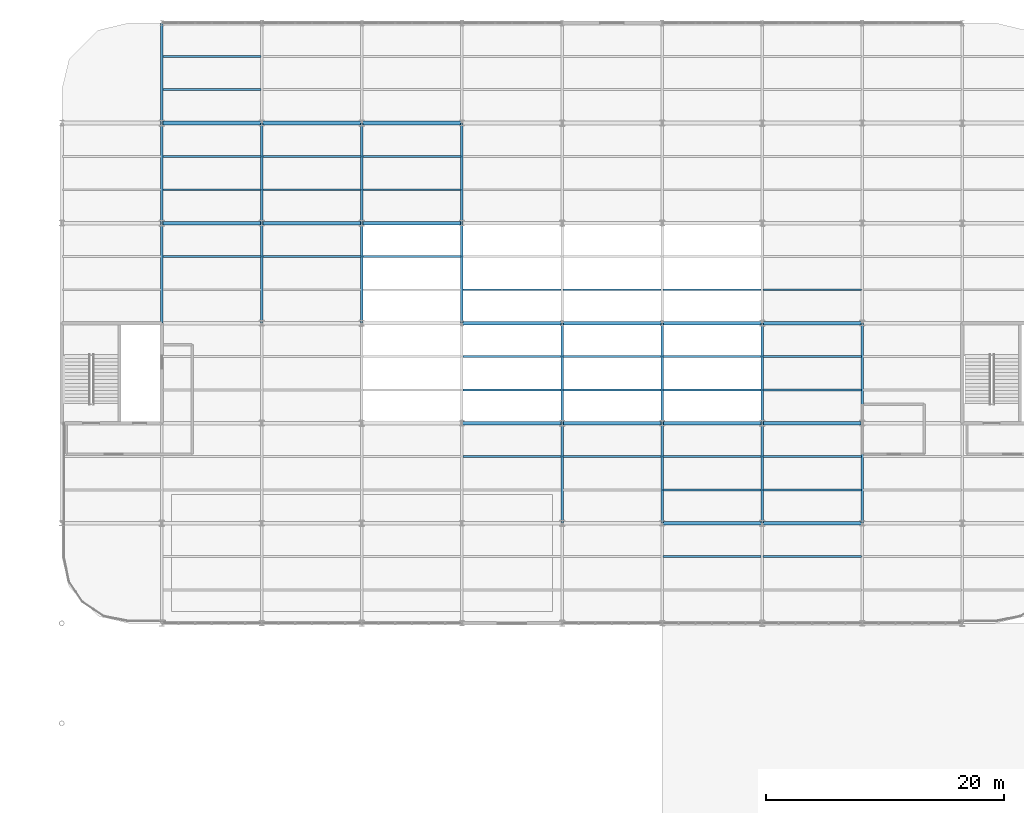
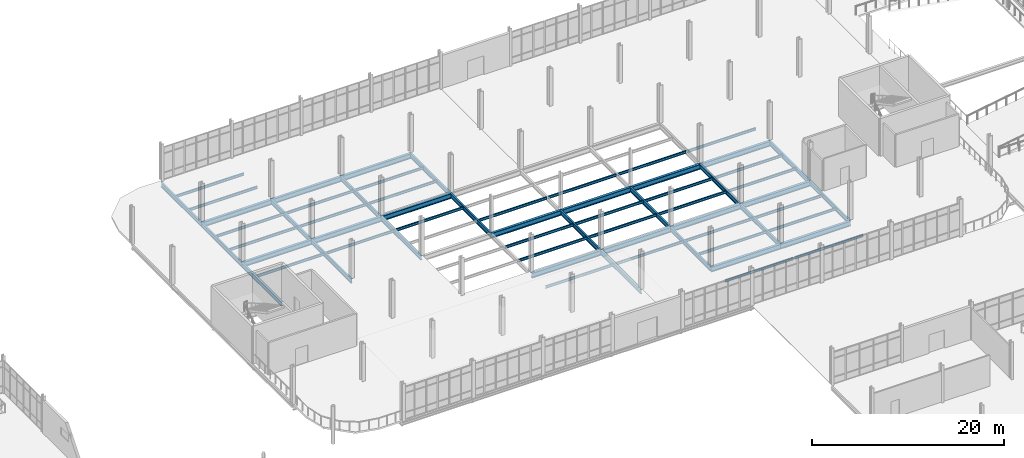
# One storey, part 83 of 145: 64 beams.
"""IFC4 building model written with IfcOpenShell, lengths in metres."""

from ifc_helpers import new_model, si_unit, direction, frame, origin, origin_2d, place, context, subcontext, project, spatial, i_section, extrude, material, material_profile, profile_set, type_object, element, save


model = new_model("IFC4")

# Units and contexts
model_context = context("Model", 3, precision=1e-05, world=origin(), true_north=direction((0.0, 1.0)))
body_context = subcontext(model_context, "Body", "Model", "MODEL_VIEW")
ifc_project = project(units=[si_unit("LENGTHUNIT", "METRE"), si_unit("AREAUNIT", "SQUARE_METRE"), si_unit("VOLUMEUNIT", "CUBIC_METRE"), si_unit("PLANEANGLEUNIT", "RADIAN"), si_unit("MASSUNIT", "GRAM", prefix="KILO")], contexts=[model_context])

# Site, building, storey
site_placement = place(None, origin())
site = spatial("IfcSite", under=ifc_project, at=site_placement, CompositionType="ELEMENT")
building_placement = place(site_placement, origin())
building = spatial("IfcBuilding", under=site, at=building_placement, Name="Qalvenar Corner Mobility Hub", CompositionType="ELEMENT")
storey_placement = place(building_placement, origin())
storey = spatial("IfcBuildingStorey", under=building, at=storey_placement, Name="L00", CompositionType="ELEMENT", Elevation=0.0)

# Beams
ifc_material = material(Name="Steel S355", Category="steel")
ifc_material_profile_1 = material_profile(ifc_material, i_section(OverallWidth=0.300048828125, OverallDepth=0.639892578125, WebThickness=0.013427734375, FlangeThickness=0.02587890625, FilletRadius=0.027099609375, at=origin_2d()), Name="HEA650")
ifc_profile_set_1 = profile_set([ifc_material_profile_1], Name="Steel S355")
beam_type_1 = type_object("IfcBeamType", Name="BM-HEA650", PredefinedType="BEAM", material=ifc_profile_set_1)
beam_1_placement = place(storey_placement, frame((109.199951171875, 75.60009765625, -0.5400390625), z_axis=(1.0, 0.0, 0.0), x_axis=(0.0, 1.0, 0.0)))
element("IfcBeam", 1, at=beam_1_placement, inside=storey, type_object=beam_type_1, Name="Primary Steel Girder GX-0537", PredefinedType="BEAM", context=body_context, shape_type="SweptSolid", body=[
    extrude(i_section(OverallWidth=0.300048828125, OverallDepth=0.639892578125, WebThickness=0.013427734375, FlangeThickness=0.02587890625, FilletRadius=0.027099609375, at=origin_2d()), origin(), (0.0, 0.0, 1.0), 8.400146484375),
])
beam_2_placement = place(storey_placement, frame((117.60009765625, 75.60009765625, -0.5400390625), z_axis=(1.0, 0.0, 0.0), x_axis=(0.0, 1.0, 0.0)))
element("IfcBeam", 2, at=beam_2_placement, inside=storey, type_object=beam_type_1, Name="Primary Steel Girder GX-0538", PredefinedType="BEAM", context=body_context, shape_type="SweptSolid", body=[
    extrude(i_section(OverallWidth=0.300048828125, OverallDepth=0.639892578125, WebThickness=0.013427734375, FlangeThickness=0.02587890625, FilletRadius=0.027099609375, at=origin_2d()), origin(), (0.0, 0.0, 1.0), 8.39990234375),
])
beam_3_placement = place(storey_placement, frame((92.39990234375, 84.0, -0.5400390625), z_axis=(1.0, 0.0, 0.0), x_axis=(0.0, 1.0, 0.0)))
element("IfcBeam", 3, at=beam_3_placement, inside=storey, type_object=beam_type_1, Name="Primary Steel Girder GX-0545", PredefinedType="BEAM", context=body_context, shape_type="SweptSolid", body=[
    extrude(i_section(OverallWidth=0.300048828125, OverallDepth=0.639892578125, WebThickness=0.013427734375, FlangeThickness=0.02587890625, FilletRadius=0.027099609375, at=origin_2d()), origin(), (0.0, 0.0, 1.0), 8.400146484375),
])
beam_4_placement = place(storey_placement, frame((100.800048828125, 84.0, -0.5400390625), z_axis=(1.0, 0.0, 0.0), x_axis=(0.0, 1.0, 0.0)))
element("IfcBeam", 4, at=beam_4_placement, inside=storey, type_object=beam_type_1, Name="Primary Steel Girder GX-0546", PredefinedType="BEAM", context=body_context, shape_type="SweptSolid", body=[
    extrude(i_section(OverallWidth=0.300048828125, OverallDepth=0.639892578125, WebThickness=0.013427734375, FlangeThickness=0.02587890625, FilletRadius=0.027099609375, at=origin_2d()), origin(), (0.0, 0.0, 1.0), 8.39990234375),
])
beam_5_placement = place(storey_placement, frame((109.199951171875, 84.0, -0.5400390625), z_axis=(1.0, 0.0, 0.0), x_axis=(0.0, 1.0, 0.0)))
element("IfcBeam", 5, at=beam_5_placement, inside=storey, type_object=beam_type_1, Name="Primary Steel Girder GX-0547", PredefinedType="BEAM", context=body_context, shape_type="SweptSolid", body=[
    extrude(i_section(OverallWidth=0.300048828125, OverallDepth=0.639892578125, WebThickness=0.013427734375, FlangeThickness=0.02587890625, FilletRadius=0.027099609375, at=origin_2d()), origin(), (0.0, 0.0, 1.0), 8.400146484375),
])
beam_6_placement = place(storey_placement, frame((117.60009765625, 84.0, -0.5400390625), z_axis=(1.0, 0.0, 0.0), x_axis=(0.0, 1.0, 0.0)))
element("IfcBeam", 6, at=beam_6_placement, inside=storey, type_object=beam_type_1, Name="Primary Steel Girder GX-0548", PredefinedType="BEAM", context=body_context, shape_type="SweptSolid", body=[
    extrude(i_section(OverallWidth=0.300048828125, OverallDepth=0.639892578125, WebThickness=0.013427734375, FlangeThickness=0.02587890625, FilletRadius=0.027099609375, at=origin_2d()), origin(), (0.0, 0.0, 1.0), 8.39990234375),
])
beam_7_placement = place(storey_placement, frame((92.39990234375, 92.39990234375, -0.5400390625), z_axis=(1.0, 0.0, 0.0), x_axis=(0.0, 1.0, 0.0)))
element("IfcBeam", 7, at=beam_7_placement, inside=storey, type_object=beam_type_1, Name="Primary Steel Girder GX-0555", PredefinedType="BEAM", context=body_context, shape_type="SweptSolid", body=[
    extrude(i_section(OverallWidth=0.300048828125, OverallDepth=0.639892578125, WebThickness=0.013427734375, FlangeThickness=0.02587890625, FilletRadius=0.027099609375, at=origin_2d()), origin(), (0.0, 0.0, 1.0), 8.400146484375),
])
beam_8_placement = place(storey_placement, frame((100.800048828125, 92.39990234375, -0.5400390625), z_axis=(1.0, 0.0, 0.0), x_axis=(0.0, 1.0, 0.0)))
element("IfcBeam", 8, at=beam_8_placement, inside=storey, type_object=beam_type_1, Name="Primary Steel Girder GX-0556", PredefinedType="BEAM", context=body_context, shape_type="SweptSolid", body=[
    extrude(i_section(OverallWidth=0.300048828125, OverallDepth=0.639892578125, WebThickness=0.013427734375, FlangeThickness=0.02587890625, FilletRadius=0.027099609375, at=origin_2d()), origin(), (0.0, 0.0, 1.0), 8.39990234375),
])
beam_9_placement = place(storey_placement, frame((109.199951171875, 92.39990234375, -0.5400390625), z_axis=(1.0, 0.0, 0.0), x_axis=(0.0, 1.0, 0.0)))
element("IfcBeam", 9, at=beam_9_placement, inside=storey, type_object=beam_type_1, Name="Primary Steel Girder GX-0557", PredefinedType="BEAM", context=body_context, shape_type="SweptSolid", body=[
    extrude(i_section(OverallWidth=0.300048828125, OverallDepth=0.639892578125, WebThickness=0.013427734375, FlangeThickness=0.02587890625, FilletRadius=0.027099609375, at=origin_2d()), origin(), (0.0, 0.0, 1.0), 8.400146484375),
])
beam_10_placement = place(storey_placement, frame((117.60009765625, 92.39990234375, -0.5400390625), z_axis=(1.0, 0.0, 0.0), x_axis=(0.0, 1.0, 0.0)))
element("IfcBeam", 10, at=beam_10_placement, inside=storey, type_object=beam_type_1, Name="Primary Steel Girder GX-0558", PredefinedType="BEAM", context=body_context, shape_type="SweptSolid", body=[
    extrude(i_section(OverallWidth=0.300048828125, OverallDepth=0.639892578125, WebThickness=0.013427734375, FlangeThickness=0.02587890625, FilletRadius=0.027099609375, at=origin_2d()), origin(), (0.0, 0.0, 1.0), 8.39990234375),
])
beam_11_placement = place(storey_placement, frame((67.199951171875, 100.800048828125, -0.5400390625), z_axis=(1.0, 0.0, 0.0), x_axis=(0.0, 1.0, 0.0)))
element("IfcBeam", 11, at=beam_11_placement, inside=storey, type_object=beam_type_1, Name="Primary Steel Girder GX-0562", PredefinedType="BEAM", context=body_context, shape_type="SweptSolid", body=[
    extrude(i_section(OverallWidth=0.300048828125, OverallDepth=0.639892578125, WebThickness=0.013427734375, FlangeThickness=0.02587890625, FilletRadius=0.027099609375, at=origin_2d()), origin(), (0.0, 0.0, 1.0), 8.400146484375),
])
for number, where, z_axis, x_axis, name in (
    (12, (75.60009765625, 100.800048828125, -0.5400390625), (1.0, 0.0, 0.0), (0.0, 1.0, 0.0), "Primary Steel Girder GX-0563"),
    (13, (84.0, 100.800048828125, -0.5400390625), (1.0, 0.0, 0.0), (0.0, 1.0, 0.0), "Primary Steel Girder GX-0564"),
):
    element("IfcBeam", number, at=place(storey_placement, frame(where, z_axis=z_axis, x_axis=x_axis)), inside=storey, type_object=beam_type_1, Name=name, PredefinedType="BEAM", context=body_context, shape_type="SweptSolid", body=[
        extrude(i_section(OverallWidth=0.300048828125, OverallDepth=0.639892578125, WebThickness=0.013427734375, FlangeThickness=0.02587890625, FilletRadius=0.027099609375, at=origin_2d()), origin(), (0.0, 0.0, 1.0), 8.39990234375),
    ])
beam_12_placement = place(storey_placement, frame((67.199951171875, 109.199951171875, -0.5400390625), z_axis=(1.0, 0.0, 0.0), x_axis=(0.0, 1.0, 0.0)))
element("IfcBeam", 14, at=beam_12_placement, inside=storey, type_object=beam_type_1, Name="Primary Steel Girder GX-0572", PredefinedType="BEAM", context=body_context, shape_type="SweptSolid", body=[
    extrude(i_section(OverallWidth=0.300048828125, OverallDepth=0.639892578125, WebThickness=0.013427734375, FlangeThickness=0.02587890625, FilletRadius=0.027099609375, at=origin_2d()), origin(), (0.0, 0.0, 1.0), 8.400146484375),
])
for number, where, z_axis, x_axis, name in (
    (15, (75.60009765625, 109.199951171875, -0.5400390625), (1.0, 0.0, 0.0), (0.0, 1.0, 0.0), "Primary Steel Girder GX-0573"),
    (16, (84.0, 109.199951171875, -0.5400390625), (1.0, 0.0, 0.0), (0.0, 1.0, 0.0), "Primary Steel Girder GX-0574"),
):
    element("IfcBeam", number, at=place(storey_placement, frame(where, z_axis=z_axis, x_axis=x_axis)), inside=storey, type_object=beam_type_1, Name=name, PredefinedType="BEAM", context=body_context, shape_type="SweptSolid", body=[
        extrude(i_section(OverallWidth=0.300048828125, OverallDepth=0.639892578125, WebThickness=0.013427734375, FlangeThickness=0.02587890625, FilletRadius=0.027099609375, at=origin_2d()), origin(), (0.0, 0.0, 1.0), 8.39990234375),
    ])
ifc_material_profile_2 = material_profile(ifc_material, i_section(OverallWidth=0.2099609375, OverallDepth=0.550048828125, WebThickness=0.010986328125, FlangeThickness=0.01708984375, FilletRadius=0.02392578125, at=origin_2d()), Name="IPE550")
ifc_profile_set_2 = profile_set([ifc_material_profile_2], Name="Steel S355")
beam_type_2 = type_object("IfcBeamType", Name="BM-IPE550", PredefinedType="BEAM", material=ifc_profile_set_2)
beam_13_placement = place(storey_placement, frame((67.199951171875, 92.39990234375, -0.4951171875), z_axis=(0.0, 1.0, 0.0), x_axis=(-1.0, 0.0, 0.0)))
element("IfcBeam", 17, at=beam_13_placement, inside=storey, type_object=beam_type_2, Name="Primary Steel Girder GY-0596", PredefinedType="BEAM", context=body_context, shape_type="SweptSolid", body=[
    extrude(i_section(OverallWidth=0.2099609375, OverallDepth=0.550048828125, WebThickness=0.010986328125, FlangeThickness=0.01708984375, FilletRadius=0.02392578125, at=origin_2d()), origin(), (0.0, 0.0, 1.0), 8.400146484375),
])
beam_14_placement = place(storey_placement, frame((67.199951171875, 100.800048828125, -0.4951171875), z_axis=(0.0, 1.0, 0.0), x_axis=(-1.0, 0.0, 0.0)))
element("IfcBeam", 18, at=beam_14_placement, inside=storey, type_object=beam_type_2, Name="Primary Steel Girder GY-0597", PredefinedType="BEAM", context=body_context, shape_type="SweptSolid", body=[
    extrude(i_section(OverallWidth=0.2099609375, OverallDepth=0.550048828125, WebThickness=0.010986328125, FlangeThickness=0.01708984375, FilletRadius=0.02392578125, at=origin_2d()), origin(), (0.0, 0.0, 1.0), 8.39990234375),
])
for number, where, z_axis, x_axis, name in (
    (19, (67.199951171875, 109.199951171875, -0.4951171875), (0.0, 1.0, 0.0), (-1.0, 0.0, 0.0), "Primary Steel Girder GY-0598"),
    (20, (75.60009765625, 92.39990234375, -0.4951171875), (0.0, 1.0, 0.0), (-1.0, 0.0, 0.0), "Primary Steel Girder GY-0602"),
):
    element("IfcBeam", number, at=place(storey_placement, frame(where, z_axis=z_axis, x_axis=x_axis)), inside=storey, type_object=beam_type_2, Name=name, PredefinedType="BEAM", context=body_context, shape_type="SweptSolid", body=[
        extrude(i_section(OverallWidth=0.2099609375, OverallDepth=0.550048828125, WebThickness=0.010986328125, FlangeThickness=0.01708984375, FilletRadius=0.02392578125, at=origin_2d()), origin(), (0.0, 0.0, 1.0), 8.400146484375),
    ])
beam_15_placement = place(storey_placement, frame((75.60009765625, 100.800048828125, -0.4951171875), z_axis=(0.0, 1.0, 0.0), x_axis=(-1.0, 0.0, 0.0)))
element("IfcBeam", 21, at=beam_15_placement, inside=storey, type_object=beam_type_2, Name="Primary Steel Girder GY-0603", PredefinedType="BEAM", context=body_context, shape_type="SweptSolid", body=[
    extrude(i_section(OverallWidth=0.2099609375, OverallDepth=0.550048828125, WebThickness=0.010986328125, FlangeThickness=0.01708984375, FilletRadius=0.02392578125, at=origin_2d()), origin(), (0.0, 0.0, 1.0), 8.39990234375),
])
beam_16_placement = place(storey_placement, frame((84.0, 92.39990234375, -0.4951171875), z_axis=(0.0, 1.0, 0.0), x_axis=(-1.0, 0.0, 0.0)))
element("IfcBeam", 22, at=beam_16_placement, inside=storey, type_object=beam_type_2, Name="Primary Steel Girder GY-0608", PredefinedType="BEAM", context=body_context, shape_type="SweptSolid", body=[
    extrude(i_section(OverallWidth=0.2099609375, OverallDepth=0.550048828125, WebThickness=0.010986328125, FlangeThickness=0.01708984375, FilletRadius=0.02392578125, at=origin_2d()), origin(), (0.0, 0.0, 1.0), 8.400146484375),
])
beam_17_placement = place(storey_placement, frame((84.0, 100.800048828125, -0.4951171875), z_axis=(0.0, 1.0, 0.0), x_axis=(-1.0, 0.0, 0.0)))
element("IfcBeam", 23, at=beam_17_placement, inside=storey, type_object=beam_type_2, Name="Primary Steel Girder GY-0609", PredefinedType="BEAM", context=body_context, shape_type="SweptSolid", body=[
    extrude(i_section(OverallWidth=0.2099609375, OverallDepth=0.550048828125, WebThickness=0.010986328125, FlangeThickness=0.01708984375, FilletRadius=0.02392578125, at=origin_2d()), origin(), (0.0, 0.0, 1.0), 8.39990234375),
])
beam_18_placement = place(storey_placement, frame((92.39990234375, 92.39990234375, -0.4951171875), z_axis=(0.0, 1.0, 0.0), x_axis=(-1.0, 0.0, 0.0)))
element("IfcBeam", 24, at=beam_18_placement, inside=storey, type_object=beam_type_2, Name="Primary Steel Girder GY-0614", PredefinedType="BEAM", context=body_context, shape_type="SweptSolid", body=[
    extrude(i_section(OverallWidth=0.2099609375, OverallDepth=0.550048828125, WebThickness=0.010986328125, FlangeThickness=0.01708984375, FilletRadius=0.02392578125, at=origin_2d()), origin(), (0.0, 0.0, 1.0), 8.400146484375),
])
for number, where, z_axis, x_axis, name in (
    (25, (92.39990234375, 100.800048828125, -0.4951171875), (0.0, 1.0, 0.0), (-1.0, 0.0, 0.0), "Primary Steel Girder GY-0615"),
    (26, (100.800048828125, 75.60009765625, -0.4951171875), (0.0, 1.0, 0.0), (-1.0, 0.0, 0.0), "Primary Steel Girder GY-0618"),
    (27, (100.800048828125, 84.0, -0.4951171875), (0.0, 1.0, 0.0), (-1.0, 0.0, 0.0), "Primary Steel Girder GY-0619"),
    (28, (109.199951171875, 75.60009765625, -0.4951171875), (0.0, 1.0, 0.0), (-1.0, 0.0, 0.0), "Primary Steel Girder GY-0624"),
    (29, (109.199951171875, 84.0, -0.4951171875), (0.0, 1.0, 0.0), (-1.0, 0.0, 0.0), "Primary Steel Girder GY-0625"),
    (30, (117.60009765625, 75.60009765625, -0.4951171875), (0.0, 1.0, 0.0), (-1.0, 0.0, 0.0), "Primary Steel Girder GY-0630"),
    (31, (117.60009765625, 84.0, -0.4951171875), (0.0, 1.0, 0.0), (-1.0, 0.0, 0.0), "Primary Steel Girder GY-0631"),
    (32, (126.0, 75.60009765625, -0.4951171875), (0.0, 1.0, 0.0), (-1.0, 0.0, 0.0), "Primary Steel Girder GY-0636"),
    (33, (126.0, 84.0, -0.4951171875), (0.0, 1.0, 0.0), (-1.0, 0.0, 0.0), "Primary Steel Girder GY-0637"),
):
    element("IfcBeam", number, at=place(storey_placement, frame(where, z_axis=z_axis, x_axis=x_axis)), inside=storey, type_object=beam_type_2, Name=name, PredefinedType="BEAM", context=body_context, shape_type="SweptSolid", body=[
        extrude(i_section(OverallWidth=0.2099609375, OverallDepth=0.550048828125, WebThickness=0.010986328125, FlangeThickness=0.01708984375, FilletRadius=0.02392578125, at=origin_2d()), origin(), (0.0, 0.0, 1.0), 8.39990234375),
    ])
ifc_material_profile_3 = material_profile(ifc_material, i_section(OverallWidth=0.159912109375, OverallDepth=0.330078125, WebThickness=0.007568359375, FlangeThickness=0.011474609375, FilletRadius=0.01806640625, at=origin_2d()), Name="IPE330")
ifc_profile_set_3 = profile_set([ifc_material_profile_3], Name="Steel S355")
beam_type_3 = type_object("IfcBeamType", Name="BM-JST330", PredefinedType="JOIST", material=ifc_profile_set_3)
for number, where, z_axis, x_axis, name in (
    (34, (67.278076171875, 98.0, -0.385009765625), (1.0, 0.0, 0.0), (0.0, 1.0, 0.0), "Composite Floor Joist J-0664"),
    (35, (67.278076171875, 103.60009765625, -0.385009765625), (1.0, 0.0, 0.0), (0.0, 1.0, 0.0), "Composite Floor Joist J-0665"),
    (36, (67.278076171875, 106.39990234375, -0.385009765625), (1.0, 0.0, 0.0), (0.0, 1.0, 0.0), "Composite Floor Joist J-0666"),
    (37, (67.278076171875, 112.0, -0.385009765625), (1.0, 0.0, 0.0), (0.0, 1.0, 0.0), "Composite Floor Joist J-0667"),
    (38, (67.278076171875, 114.800048828125, -0.385009765625), (1.0, 0.0, 0.0), (0.0, 1.0, 0.0), "Composite Floor Joist J-0668"),
):
    element("IfcBeam", number, at=place(storey_placement, frame(where, z_axis=z_axis, x_axis=x_axis)), inside=storey, type_object=beam_type_3, Name=name, PredefinedType="JOIST", context=body_context, shape_type="SweptSolid", body=[
        extrude(i_section(OverallWidth=0.159912109375, OverallDepth=0.330078125, WebThickness=0.007568359375, FlangeThickness=0.011474609375, FilletRadius=0.01806640625, at=origin_2d()), origin(), (0.0, 0.0, 1.0), 8.243896484375),
    ])
for number, where, z_axis, x_axis, name in (
    (39, (75.677978515625, 98.0, -0.385009765625), (1.0, 0.0, 0.0), (0.0, 1.0, 0.0), "Composite Floor Joist J-0676"),
    (40, (75.677978515625, 103.60009765625, -0.385009765625), (1.0, 0.0, 0.0), (0.0, 1.0, 0.0), "Composite Floor Joist J-0677"),
    (41, (75.677978515625, 106.39990234375, -0.385009765625), (1.0, 0.0, 0.0), (0.0, 1.0, 0.0), "Composite Floor Joist J-0678"),
    (42, (84.077880859375, 98.0, -0.385009765625), (1.0, 0.0, 0.0), (0.0, 1.0, 0.0), "Composite Floor Joist J-0688"),
    (43, (84.077880859375, 103.60009765625, -0.385009765625), (1.0, 0.0, 0.0), (0.0, 1.0, 0.0), "Composite Floor Joist J-0689"),
    (44, (84.077880859375, 106.39990234375, -0.385009765625), (1.0, 0.0, 0.0), (0.0, 1.0, 0.0), "Composite Floor Joist J-0690"),
):
    element("IfcBeam", number, at=place(storey_placement, frame(where, z_axis=z_axis, x_axis=x_axis)), inside=storey, type_object=beam_type_3, Name=name, PredefinedType="JOIST", context=body_context, shape_type="SweptSolid", body=[
        extrude(i_section(OverallWidth=0.159912109375, OverallDepth=0.330078125, WebThickness=0.007568359375, FlangeThickness=0.011474609375, FilletRadius=0.01806640625, at=origin_2d()), origin(), (0.0, 0.0, 1.0), 8.244140625),
    ])
for number, where, z_axis, x_axis, name in (
    (45, (92.47802734375, 81.199951171875, -0.385009765625), (1.0, 0.0, 0.0), (0.0, 1.0, 0.0), "Composite Floor Joist J-0696"),
    (46, (92.47802734375, 86.800048828125, -0.385009765625), (1.0, 0.0, 0.0), (0.0, 1.0, 0.0), "Composite Floor Joist J-0697"),
    (47, (92.47802734375, 89.60009765625, -0.385009765625), (1.0, 0.0, 0.0), (0.0, 1.0, 0.0), "Composite Floor Joist J-0698"),
    (48, (92.47802734375, 95.199951171875, -0.385009765625), (1.0, 0.0, 0.0), (0.0, 1.0, 0.0), "Composite Floor Joist J-0699"),
):
    element("IfcBeam", number, at=place(storey_placement, frame(where, z_axis=z_axis, x_axis=x_axis)), inside=storey, type_object=beam_type_3, Name=name, PredefinedType="JOIST", context=body_context, shape_type="SweptSolid", body=[
        extrude(i_section(OverallWidth=0.159912109375, OverallDepth=0.330078125, WebThickness=0.007568359375, FlangeThickness=0.011474609375, FilletRadius=0.01806640625, at=origin_2d()), origin(), (0.0, 0.0, 1.0), 8.243896484375),
    ])
for number, where, z_axis, x_axis, name in (
    (49, (100.8779296875, 81.199951171875, -0.385009765625), (1.0, 0.0, 0.0), (0.0, 1.0, 0.0), "Composite Floor Joist J-0708"),
    (50, (100.8779296875, 86.800048828125, -0.385009765625), (1.0, 0.0, 0.0), (0.0, 1.0, 0.0), "Composite Floor Joist J-0709"),
    (51, (100.8779296875, 89.60009765625, -0.385009765625), (1.0, 0.0, 0.0), (0.0, 1.0, 0.0), "Composite Floor Joist J-0710"),
    (52, (100.8779296875, 95.199951171875, -0.385009765625), (1.0, 0.0, 0.0), (0.0, 1.0, 0.0), "Composite Floor Joist J-0711"),
):
    element("IfcBeam", number, at=place(storey_placement, frame(where, z_axis=z_axis, x_axis=x_axis)), inside=storey, type_object=beam_type_3, Name=name, PredefinedType="JOIST", context=body_context, shape_type="SweptSolid", body=[
        extrude(i_section(OverallWidth=0.159912109375, OverallDepth=0.330078125, WebThickness=0.007568359375, FlangeThickness=0.011474609375, FilletRadius=0.01806640625, at=origin_2d()), origin(), (0.0, 0.0, 1.0), 8.244140625),
    ])
for number, where, z_axis, x_axis, name in (
    (53, (109.278076171875, 72.800048828125, -0.385009765625), (1.0, 0.0, 0.0), (0.0, 1.0, 0.0), "Composite Floor Joist J-0718"),
    (54, (109.278076171875, 78.39990234375, -0.385009765625), (1.0, 0.0, 0.0), (0.0, 1.0, 0.0), "Composite Floor Joist J-0719"),
    (55, (109.278076171875, 81.199951171875, -0.385009765625), (1.0, 0.0, 0.0), (0.0, 1.0, 0.0), "Composite Floor Joist J-0720"),
    (56, (109.278076171875, 86.800048828125, -0.385009765625), (1.0, 0.0, 0.0), (0.0, 1.0, 0.0), "Composite Floor Joist J-0721"),
    (57, (109.278076171875, 89.60009765625, -0.385009765625), (1.0, 0.0, 0.0), (0.0, 1.0, 0.0), "Composite Floor Joist J-0722"),
    (58, (109.278076171875, 95.199951171875, -0.385009765625), (1.0, 0.0, 0.0), (0.0, 1.0, 0.0), "Composite Floor Joist J-0723"),
):
    element("IfcBeam", number, at=place(storey_placement, frame(where, z_axis=z_axis, x_axis=x_axis)), inside=storey, type_object=beam_type_3, Name=name, PredefinedType="JOIST", context=body_context, shape_type="SweptSolid", body=[
        extrude(i_section(OverallWidth=0.159912109375, OverallDepth=0.330078125, WebThickness=0.007568359375, FlangeThickness=0.011474609375, FilletRadius=0.01806640625, at=origin_2d()), origin(), (0.0, 0.0, 1.0), 8.243896484375),
    ])
for number, where, z_axis, x_axis, name in (
    (59, (117.677978515625, 72.800048828125, -0.385009765625), (1.0, 0.0, 0.0), (0.0, 1.0, 0.0), "Composite Floor Joist J-0730"),
    (60, (117.677978515625, 78.39990234375, -0.385009765625), (1.0, 0.0, 0.0), (0.0, 1.0, 0.0), "Composite Floor Joist J-0731"),
    (61, (117.677978515625, 81.199951171875, -0.385009765625), (1.0, 0.0, 0.0), (0.0, 1.0, 0.0), "Composite Floor Joist J-0732"),
    (62, (117.677978515625, 86.800048828125, -0.385009765625), (1.0, 0.0, 0.0), (0.0, 1.0, 0.0), "Composite Floor Joist J-0733"),
    (63, (117.677978515625, 89.60009765625, -0.385009765625), (1.0, 0.0, 0.0), (0.0, 1.0, 0.0), "Composite Floor Joist J-0734"),
    (64, (117.677978515625, 95.199951171875, -0.385009765625), (1.0, 0.0, 0.0), (0.0, 1.0, 0.0), "Composite Floor Joist J-0735"),
):
    element("IfcBeam", number, at=place(storey_placement, frame(where, z_axis=z_axis, x_axis=x_axis)), inside=storey, type_object=beam_type_3, Name=name, PredefinedType="JOIST", context=body_context, shape_type="SweptSolid", body=[
        extrude(i_section(OverallWidth=0.159912109375, OverallDepth=0.330078125, WebThickness=0.007568359375, FlangeThickness=0.011474609375, FilletRadius=0.01806640625, at=origin_2d()), origin(), (0.0, 0.0, 1.0), 8.244140625),
    ])

save(model, "model.ifc")
